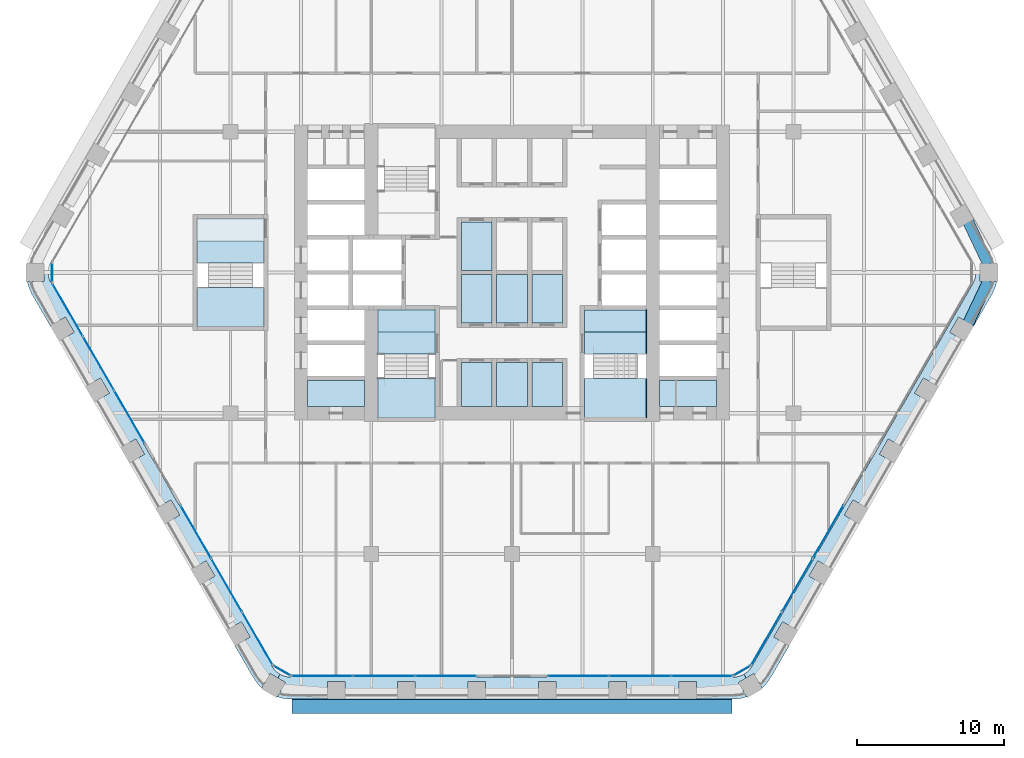
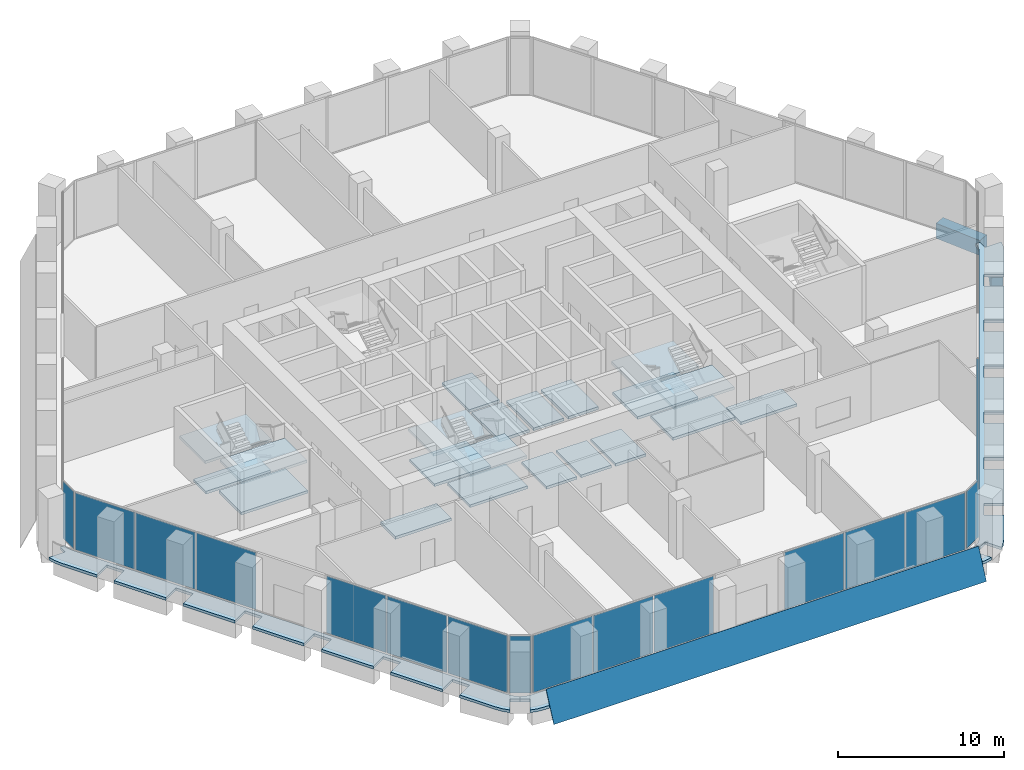
# One storey, part 10 of 22: 26 slabs, 19 plates, 2 beams, 11 elements without a shape of their own.
"""IFC4 building model written with IfcOpenShell, lengths in metres."""

from ifc_helpers import new_model, si_unit, direction, frame, origin, origin_2d, place, context, subcontext, project, spatial, polyline, rectangle, outline, extrude, material, layer, layer_set, material_profile, profile_set, type_object, element, aggregate, save


model = new_model("IFC4")

# Units and contexts
model_context = context("Model", 3, precision=1e-05, world=origin(), true_north=direction((0.0, 1.0)))
body_context = subcontext(model_context, "Body", "Model", "MODEL_VIEW")
ifc_project = project(units=[si_unit("LENGTHUNIT", "METRE"), si_unit("AREAUNIT", "SQUARE_METRE"), si_unit("VOLUMEUNIT", "CUBIC_METRE"), si_unit("PLANEANGLEUNIT", "RADIAN"), si_unit("MASSUNIT", "GRAM", prefix="KILO")], contexts=[model_context])

# Site, building, storey
site_placement = place(None, origin())
site = spatial("IfcSite", under=ifc_project, at=site_placement, CompositionType="ELEMENT")
building_placement = place(site_placement, origin())
building = spatial("IfcBuilding", under=site, at=building_placement, Name="Kolab Exchange Tower", CompositionType="ELEMENT")
storey_placement = place(building_placement, frame((0.0, 0.0, 82.39990234375)))
storey = spatial("IfcBuildingStorey", under=building, at=storey_placement, Name="L15", CompositionType="ELEMENT", Elevation=82.39990234375)

# Beams
ifc_material_1 = material(Name="Concrete C70/85", Category="concrete")
ifc_material_profile = material_profile(ifc_material_1, rectangle(XDim=0.75, YDim=1.10009765625, at=origin_2d()), Name="RC750X1100")
ifc_profile_set = profile_set([ifc_material_profile], Name="Concrete C70/85")
beam_type = type_object("IfcBeamType", Name="SPANDREL BEAM 750X1100 C70/85", PredefinedType="BEAM", material=ifc_profile_set)
for number, where, z_axis, x_axis, name in (
    (1, (31.116455078125, 3.4619140625, -0.75), (0.429041292193, -0.903284877319, 0.0), (0.903284877319, 0.429041292193, 0.0), "beam/L15/sp/F2-07"),
    (2, (32.492919921875, -0.56396484375, -0.75), (-0.429041292193, -0.903284877319, 0.0), (0.903284877319, -0.429041292193, 0.0), "beam/L15/sp/F3-01"),
):
    element("IfcBeam", number, at=place(storey_placement, frame(where, z_axis=z_axis, x_axis=x_axis)), inside=storey, type_object=beam_type, Name=name, PredefinedType="BEAM", context=body_context, shape_type="SweptSolid", body=[
        extrude(rectangle(XDim=0.75, YDim=1.10009765625, at=origin_2d()), origin(), (0.0, 0.0, 1.0), 3.208251953125),
    ])

# Slabs
ifc_material_2 = material(Name="Concrete C35/45", Category="concrete")
ifc_layer_1 = layer(ifc_material_2, 0.199951171875)
ifc_layer_set_1 = layer_set([ifc_layer_1], Name="Concrete C35/45")
slab_type_1 = type_object("IfcSlabType", Name="FLOOR SLAB 200", PredefinedType="FLOOR", material=ifc_layer_set_1)
slab_1_placement = place(storey_placement, frame((0.0, 0.0, -0.199951171875)))
element("IfcSlab", 3, at=slab_1_placement, inside=storey, type_object=slab_type_1, Name="slab/L15/floor/2", PredefinedType="FLOOR", context=body_context, shape_type="SweptSolid", body=[
    extrude(outline(polyline([(-10.050048828125, -9.14990234375), (-10.050048828125, -7.35009765625), (-13.949951171875, -7.35009765625), (-13.949951171875, -9.14990234375), (-10.050048828125, -9.14990234375)])), origin(), (0.0, 0.0, 1.0), 0.199951171875),
])
slab_2_placement = place(storey_placement, frame((0.0, 0.0, -0.199951171875)))
element("IfcSlab", 4, at=slab_2_placement, inside=storey, type_object=slab_type_1, Name="slab/L15/floor/4", PredefinedType="FLOOR", context=body_context, shape_type="SweptSolid", body=[
    extrude(outline(polyline([(10.050048828125, -9.14990234375), (13.949951171875, -9.14990234375), (13.949951171875, -7.35009765625), (10.050048828125, -7.35009765625), (10.050048828125, -9.14990234375)])), origin(), (0.0, 0.0, 1.0), 0.199951171875),
])
slab_3_placement = place(storey_placement, frame((0.0, 0.0, -0.199951171875)))
element("IfcSlab", 5, at=slab_3_placement, inside=storey, type_object=slab_type_1, Name="slab/L15/floor/6", PredefinedType="FLOOR", context=body_context, shape_type="SweptSolid", body=[
    extrude(outline(polyline([(-1.35009765625, -3.449951171875), (-1.35009765625, -0.14990234375), (-3.449951171875, -0.14990234375), (-3.449951171875, -3.449951171875), (-1.35009765625, -3.449951171875)])), origin(), (0.0, 0.0, 1.0), 0.199951171875),
])
slab_4_placement = place(storey_placement, frame((0.0, 0.0, -0.199951171875)))
element("IfcSlab", 6, at=slab_4_placement, inside=storey, type_object=slab_type_1, Name="slab/L15/floor/7", PredefinedType="FLOOR", context=body_context, shape_type="SweptSolid", body=[
    extrude(outline(polyline([(-1.35009765625, 0.14990234375), (-1.35009765625, 3.449951171875), (-3.449951171875, 3.449951171875), (-3.449951171875, 0.14990234375), (-1.35009765625, 0.14990234375)])), origin(), (0.0, 0.0, 1.0), 0.199951171875),
])
slab_5_placement = place(storey_placement, frame((0.0, 0.0, -0.199951171875)))
element("IfcSlab", 7, at=slab_5_placement, inside=storey, type_object=slab_type_1, Name="slab/L15/floor/8", PredefinedType="FLOOR", context=body_context, shape_type="SweptSolid", body=[
    extrude(outline(polyline([(-1.050048828125, -0.14990234375), (-1.050048828125, -3.449951171875), (1.050048828125, -3.449951171875), (1.050048828125, -0.14990234375), (-1.050048828125, -0.14990234375)])), origin(), (0.0, 0.0, 1.0), 0.199951171875),
])
slab_6_placement = place(storey_placement, frame((0.0, 0.0, -0.199951171875)))
element("IfcSlab", 8, at=slab_6_placement, inside=storey, type_object=slab_type_1, Name="slab/L15/floor/10", PredefinedType="FLOOR", context=body_context, shape_type="SweptSolid", body=[
    extrude(outline(polyline([(1.35009765625, -3.449951171875), (3.449951171875, -3.449951171875), (3.449951171875, -0.14990234375), (1.35009765625, -0.14990234375), (1.35009765625, -3.449951171875)])), origin(), (0.0, 0.0, 1.0), 0.199951171875),
])
slab_7_placement = place(storey_placement, frame((0.0, 0.0, -0.199951171875)))
element("IfcSlab", 9, at=slab_7_placement, inside=storey, type_object=slab_type_1, Name="slab/L15/floor/14", PredefinedType="FLOOR", context=body_context, shape_type="SweptSolid", body=[
    extrude(outline(polyline([(-1.35009765625, -6.14990234375), (-3.449951171875, -6.14990234375), (-3.449951171875, -9.14990234375), (-1.35009765625, -9.14990234375), (-1.35009765625, -6.14990234375)])), origin(), (0.0, 0.0, 1.0), 0.199951171875),
])
slab_8_placement = place(storey_placement, frame((0.0, 0.0, -0.199951171875)))
element("IfcSlab", 10, at=slab_8_placement, inside=storey, type_object=slab_type_1, Name="slab/L15/floor/16", PredefinedType="FLOOR", context=body_context, shape_type="SweptSolid", body=[
    extrude(outline(polyline([(1.050048828125, -6.14990234375), (-1.050048828125, -6.14990234375), (-1.050048828125, -9.14990234375), (1.050048828125, -9.14990234375), (1.050048828125, -6.14990234375)])), origin(), (0.0, 0.0, 1.0), 0.199951171875),
])
slab_9_placement = place(storey_placement, frame((0.0, 0.0, -0.199951171875)))
element("IfcSlab", 11, at=slab_9_placement, inside=storey, type_object=slab_type_1, Name="slab/L15/floor/18", PredefinedType="FLOOR", context=body_context, shape_type="SweptSolid", body=[
    extrude(outline(polyline([(1.35009765625, -6.14990234375), (1.35009765625, -9.14990234375), (3.449951171875, -9.14990234375), (3.449951171875, -6.14990234375), (1.35009765625, -6.14990234375)])), origin(), (0.0, 0.0, 1.0), 0.199951171875),
])
slab_10_placement = place(storey_placement, frame((0.0, 0.0, -0.199951171875)))
element("IfcSlab", 12, at=slab_10_placement, inside=storey, type_object=slab_type_1, Name="slab/L15/floor/20", PredefinedType="FLOOR", context=body_context, shape_type="SweptSolid", body=[
    extrude(outline(polyline([(4.949951171875, -4.050048828125), (9.14990234375, -4.050048828125), (9.14990234375, -2.550048828125), (6.14990234375, -2.550048828125), (5.85009765625, -2.550048828125), (4.949951171875, -2.550048828125), (4.949951171875, -4.050048828125)])), origin(), (0.0, 0.0, 1.0), 0.199951171875),
])
slab_11_placement = place(storey_placement, frame((0.0, 0.0, -0.199951171875)))
element("IfcSlab", 13, at=slab_11_placement, inside=storey, type_object=slab_type_1, Name="slab/L15/floor/21", PredefinedType="FLOOR", context=body_context, shape_type="SweptSolid", body=[
    extrude(outline(polyline([(-9.14990234375, -2.550048828125), (-9.14990234375, -4.050048828125), (-5.25, -4.050048828125), (-5.25, -2.550048828125), (-7.25, -2.550048828125), (-7.550048828125, -2.550048828125), (-9.14990234375, -2.550048828125)])), origin(), (0.0, 0.0, 1.0), 0.199951171875),
])
ifc_layer_2 = layer(ifc_material_2, 0.199951171875)
ifc_layer_set_2 = layer_set([ifc_layer_2], Name="Concrete C35/45")
slab_type_2 = type_object("IfcSlabType", Name="LOGGIA SLAB 200", PredefinedType="FLOOR", material=ifc_layer_set_2)
slab_12_placement = place(storey_placement, frame((0.0, 0.0, -0.199951171875)))
element("IfcSlab", 14, at=slab_12_placement, inside=storey, type_object=slab_type_2, Name="slab/L15/loggia/2-0", PredefinedType="FLOOR", context=body_context, shape_type="SweptSolid", body=[
    extrude(outline(polyline([(17.666015625, -27.598388671875), (18.89990234375, -25.461181640625), (17.86083984375, -24.861083984375), (18.460693359375, -23.822021484375), (19.5, -24.421875), (21.300048828125, -21.30419921875), (20.2607421875, -20.704345703125), (20.86083984375, -19.6650390625), (21.89990234375, -20.264892578125), (23.699951171875, -17.147216796875), (22.660888671875, -16.54736328125), (23.2607421875, -15.508056640625), (24.300048828125, -16.108154296875), (26.10009765625, -12.990478515625), (25.060791015625, -12.390380859375), (25.660888671875, -11.35107421875), (26.699951171875, -11.951171875), (28.5, -8.83349609375), (27.460693359375, -8.2333984375), (28.060791015625, -7.1943359375), (29.10009765625, -7.794189453125), (30.89990234375, -4.676513671875), (29.86083984375, -4.076416015625), (30.460693359375, -3.037353515625), (31.5, -3.63720703125), (32.73388671875, -1.5), (32.955078125, -1.026123046875), (33.069091796875, -0.60009765625), (31.935791015625, -0.60009765625), (31.935791015625, 0.0), (31.635986328125, 0.0), (31.613037109375, -0.260498046875), (31.54541015625, -0.512939453125), (31.434814453125, -0.75), (16.366943359375, -26.848388671875), (16.217041015625, -27.062744140625), (16.0322265625, -27.24755859375), (15.81787109375, -27.3974609375), (15.968017578125, -27.6572265625), (16.487548828125, -27.357177734375), (17.05419921875, -28.338623046875), (17.365966796875, -28.02685546875), (17.666015625, -27.598388671875)])), origin(), (0.0, 0.0, 1.0), 0.199951171875),
])
slab_13_placement = place(storey_placement, frame((0.0, 0.0, -0.199951171875)))
element("IfcSlab", 15, at=slab_13_placement, inside=storey, type_object=slab_type_2, Name="slab/L15/loggia/3-0", PredefinedType="FLOOR", context=body_context, shape_type="SweptSolid", body=[
    extrude(outline(polyline([(-15.81787109375, -27.3974609375), (-15.968017578125, -27.6572265625), (-15.4482421875, -27.957275390625), (-16.014892578125, -28.938720703125), (-15.5888671875, -29.052978515625), (-15.06787109375, -29.098388671875), (-12.60009765625, -29.098388671875), (-12.60009765625, -27.8984375), (-11.39990234375, -27.8984375), (-11.39990234375, -29.098388671875), (-7.800048828125, -29.098388671875), (-7.800048828125, -27.8984375), (-6.60009765625, -27.8984375), (-6.60009765625, -29.098388671875), (-3.0, -29.098388671875), (-3.0, -27.8984375), (-1.800048828125, -27.8984375), (-1.800048828125, -29.098388671875), (1.800048828125, -29.098388671875), (1.800048828125, -27.8984375), (3.0, -27.8984375), (3.0, -29.098388671875), (6.60009765625, -29.098388671875), (6.60009765625, -27.8984375), (7.800048828125, -27.8984375), (7.800048828125, -29.098388671875), (11.39990234375, -29.098388671875), (11.39990234375, -27.8984375), (12.60009765625, -27.8984375), (12.60009765625, -29.098388671875), (15.06787109375, -29.098388671875), (15.5888671875, -29.052978515625), (16.014892578125, -28.938720703125), (15.4482421875, -27.957275390625), (15.968017578125, -27.6572265625), (15.81787109375, -27.3974609375), (15.5810546875, -27.508056640625), (15.328369140625, -27.57568359375), (15.06787109375, -27.598388671875), (-15.06787109375, -27.598388671875), (-15.328369140625, -27.57568359375), (-15.5810546875, -27.508056640625), (-15.81787109375, -27.3974609375)])), origin(), (0.0, 0.0, 1.0), 0.199951171875),
])
slab_14_placement = place(storey_placement, frame((0.0, 0.0, -0.199951171875)))
element("IfcSlab", 16, at=slab_14_placement, inside=storey, type_object=slab_type_2, Name="slab/L15/loggia/4-0", PredefinedType="FLOOR", context=body_context, shape_type="SweptSolid", body=[
    extrude(outline(polyline([(-31.635986328125, 0.0), (-31.935791015625, 0.0), (-31.935791015625, -0.60009765625), (-33.069091796875, -0.60009765625), (-32.955078125, -1.026123046875), (-32.73388671875, -1.5), (-31.5, -3.63720703125), (-30.460693359375, -3.037353515625), (-29.86083984375, -4.076416015625), (-30.89990234375, -4.676513671875), (-29.10009765625, -7.794189453125), (-28.060791015625, -7.1943359375), (-27.460693359375, -8.2333984375), (-28.5, -8.83349609375), (-26.699951171875, -11.951171875), (-25.660888671875, -11.35107421875), (-25.060791015625, -12.390380859375), (-26.10009765625, -12.990478515625), (-24.300048828125, -16.108154296875), (-23.2607421875, -15.508056640625), (-22.660888671875, -16.54736328125), (-23.699951171875, -17.147216796875), (-21.89990234375, -20.264892578125), (-20.86083984375, -19.6650390625), (-20.2607421875, -20.704345703125), (-21.300048828125, -21.30419921875), (-19.5, -24.421875), (-18.460693359375, -23.822021484375), (-17.86083984375, -24.861083984375), (-18.89990234375, -25.461181640625), (-17.666015625, -27.598388671875), (-17.365966796875, -28.02685546875), (-17.05419921875, -28.338623046875), (-16.487548828125, -27.357177734375), (-15.968017578125, -27.6572265625), (-15.81787109375, -27.3974609375), (-16.0322265625, -27.24755859375), (-16.217041015625, -27.062744140625), (-16.366943359375, -26.848388671875), (-31.434814453125, -0.75), (-31.54541015625, -0.512939453125), (-31.613037109375, -0.260498046875), (-31.635986328125, 0.0)])), origin(), (0.0, 0.0, 1.0), 0.199951171875),
])

# Plate
ifc_material_3 = material(Name="Laminated glass, clear", Category="glass")
ifc_layer_3 = layer(ifc_material_3, 0.0400390625)
ifc_layer_set_3 = layer_set([ifc_layer_3], Name="Laminated glass, clear")
plate_type_1 = type_object("IfcPlateType", Name="OUTER SKIN LAMINATED GLASS SHEET 40", PredefinedType="SHEET", material=ifc_layer_set_3)
plate_1_placement = place(storey_placement, frame((15.01806640625, -30.078857421875, -0.73291015625), z_axis=(0.0, -0.906331045159, 0.422568380954), x_axis=(-1.0, 0.0, 0.0)))
element("IfcPlate", 17, at=plate_1_placement, inside=storey, type_object=plate_type_1, Name="Outer skin", PredefinedType="SHEET", context=body_context, shape_type="SweptSolid", body=[
    extrude(outline(polyline([(0.0, 0.0), (30.0361328125, 0.0), (30.0361328125, -2.2341751996320496), (0.0, -2.2341751996320496), (0.0, 0.0)])), origin(), (0.0, 0.0, -1.0), 0.0400390625),
])

# Stair, slabs
ifc_material_4 = material(Name="Concrete C50/60", Category="concrete")
stair_type_1 = type_object("IfcStairType", Name="STAIR ST3 RISER 160.7", PredefinedType="DOUBLE_RETURN_STAIR", material=ifc_material_4)
stair_1_placement = place(storey_placement, origin())
stair_1 = element("IfcStair", 18, at=stair_1_placement, inside=storey, type_object=stair_type_1, Name="Stair 3", PredefinedType="DOUBLE_RETURN_STAIR")
ifc_layer_4 = layer(ifc_material_4, 0.199951171875)
ifc_layer_set_4 = layer_set([ifc_layer_4], Name="Concrete C50/60")
slab_type_3 = type_object("IfcSlabType", Name="STAIR LANDING 200", PredefinedType="LANDING", material=ifc_layer_set_4)
slab_15_placement = place(storey_placement, frame((0.0, 0.0, -0.199951171875)))
slab_15 = element("IfcSlab", 19, at=slab_15_placement, type_object=slab_type_3, Name="ST3 landing 1", PredefinedType="LANDING", context=body_context, shape_type="SweptSolid", body=[
    extrude(outline(polyline([(-9.14990234375, -5.550048828125), (-5.25, -5.550048828125), (-5.25, -4.050048828125), (-9.14990234375, -4.050048828125), (-9.14990234375, -5.550048828125)])), origin(), (0.0, 0.0, 1.0), 0.199951171875),
])
slab_16_placement = place(storey_placement, frame((0.0, 0.0, 0.925048828125)))
slab_16 = element("IfcSlab", 20, at=slab_16_placement, type_object=slab_type_3, Name="ST3 landing 2", PredefinedType="LANDING", context=body_context, shape_type="SweptSolid", body=[
    extrude(outline(polyline([(-9.2099609375, -9.909912109375), (-5.18994140625, -9.909912109375), (-5.18994140625, -7.22998046875), (-9.2099609375, -7.22998046875), (-9.2099609375, -9.909912109375)])), origin(), (0.0, 0.0, 1.0), 0.199951171875),
])
slab_17_placement = place(storey_placement, frame((0.0, 0.0, 2.050048828125)))
slab_17 = element("IfcSlab", 21, at=slab_17_placement, type_object=slab_type_3, Name="ST3 landing 3", PredefinedType="LANDING", context=body_context, shape_type="SweptSolid", body=[
    extrude(outline(polyline([(-9.2099609375, -5.550048828125), (-5.18994140625, -5.550048828125), (-5.18994140625, -2.489990234375), (-9.2099609375, -2.489990234375), (-9.2099609375, -5.550048828125)])), origin(), (0.0, 0.0, 1.0), 0.199951171875),
])
slab_18_placement = place(storey_placement, frame((0.0, 0.0, 3.175048828125)))
slab_18 = element("IfcSlab", 22, at=slab_18_placement, type_object=slab_type_3, Name="ST3 landing 4", PredefinedType="LANDING", context=body_context, shape_type="SweptSolid", body=[
    extrude(outline(polyline([(-9.14990234375, -9.909912109375), (-5.25, -9.909912109375), (-5.25, -7.22998046875), (-9.14990234375, -7.22998046875), (-9.14990234375, -9.909912109375)])), origin(), (0.0, 0.0, 1.0), 0.199951171875),
])
aggregate(stair_1, [slab_15, slab_16, slab_17, slab_18])

stair_type_2 = type_object("IfcStairType", Name="STAIR ST2 RISER 160.7", PredefinedType="DOUBLE_RETURN_STAIR", material=ifc_material_4)
stair_2_placement = place(storey_placement, origin())
stair_2 = element("IfcStair", 23, at=stair_2_placement, inside=storey, type_object=stair_type_2, Name="Stair 2", PredefinedType="DOUBLE_RETURN_STAIR")
slab_19_placement = place(storey_placement, frame((0.0, 0.0, -0.199951171875)))
slab_19 = element("IfcSlab", 24, at=slab_19_placement, type_object=slab_type_3, Name="ST2 landing 1", PredefinedType="LANDING", context=body_context, shape_type="SweptSolid", body=[
    extrude(outline(polyline([(4.949951171875, -5.550048828125), (9.14990234375, -5.550048828125), (9.14990234375, -4.050048828125), (4.949951171875, -4.050048828125), (4.949951171875, -5.550048828125)])), origin(), (0.0, 0.0, 1.0), 0.199951171875),
])
slab_20_placement = place(storey_placement, frame((0.0, 0.0, 0.925048828125)))
slab_20 = element("IfcSlab", 25, at=slab_20_placement, type_object=slab_type_3, Name="ST2 landing 2", PredefinedType="LANDING", context=body_context, shape_type="SweptSolid", body=[
    extrude(outline(polyline([(4.889892578125, -9.909912109375), (9.2099609375, -9.909912109375), (9.2099609375, -7.22998046875), (4.889892578125, -7.22998046875), (4.889892578125, -9.909912109375)])), origin(), (0.0, 0.0, 1.0), 0.199951171875),
])
slab_21_placement = place(storey_placement, frame((0.0, 0.0, 2.050048828125)))
slab_21 = element("IfcSlab", 26, at=slab_21_placement, type_object=slab_type_3, Name="ST2 landing 3", PredefinedType="LANDING", context=body_context, shape_type="SweptSolid", body=[
    extrude(outline(polyline([(4.889892578125, -5.550048828125), (9.2099609375, -5.550048828125), (9.2099609375, -2.489990234375), (4.889892578125, -2.489990234375), (4.889892578125, -5.550048828125)])), origin(), (0.0, 0.0, 1.0), 0.199951171875),
])
slab_22_placement = place(storey_placement, frame((0.0, 0.0, 3.175048828125)))
slab_22 = element("IfcSlab", 27, at=slab_22_placement, type_object=slab_type_3, Name="ST2 landing 4", PredefinedType="LANDING", context=body_context, shape_type="SweptSolid", body=[
    extrude(outline(polyline([(4.949951171875, -9.909912109375), (9.14990234375, -9.909912109375), (9.14990234375, -7.22998046875), (4.949951171875, -7.22998046875), (4.949951171875, -9.909912109375)])), origin(), (0.0, 0.0, 1.0), 0.199951171875),
])
aggregate(stair_2, [slab_19, slab_20, slab_21, slab_22])

stair_type_3 = type_object("IfcStairType", Name="STAIR ST5 RISER 160.7", PredefinedType="DOUBLE_RETURN_STAIR", material=ifc_material_4)
stair_3_placement = place(storey_placement, origin())
stair_3 = element("IfcStair", 28, at=stair_3_placement, inside=storey, type_object=stair_type_3, Name="Stair 5", PredefinedType="DOUBLE_RETURN_STAIR")
slab_23_placement = place(storey_placement, frame((0.0, 0.0, -0.199951171875)))
slab_23 = element("IfcSlab", 29, at=slab_23_placement, type_object=slab_type_3, Name="ST5 landing 1", PredefinedType="LANDING", context=body_context, shape_type="SweptSolid", body=[
    extrude(outline(polyline([(-21.449951171875, 0.64990234375), (-16.949951171875, 0.64990234375), (-16.949951171875, 2.14990234375), (-21.449951171875, 2.14990234375), (-21.449951171875, 0.64990234375)])), origin(), (0.0, 0.0, 1.0), 0.199951171875),
])
slab_24_placement = place(storey_placement, frame((0.0, 0.0, 0.925048828125)))
slab_24 = element("IfcSlab", 30, at=slab_24_placement, type_object=slab_type_3, Name="ST5 landing 2", PredefinedType="LANDING", context=body_context, shape_type="SweptSolid", body=[
    extrude(outline(polyline([(-21.510009765625, -3.7099609375), (-16.889892578125, -3.7099609375), (-16.889892578125, -1.030029296875), (-21.510009765625, -1.030029296875), (-21.510009765625, -3.7099609375)])), origin(), (0.0, 0.0, 1.0), 0.199951171875),
])
slab_25_placement = place(storey_placement, frame((0.0, 0.0, 2.050048828125)))
slab_25 = element("IfcSlab", 31, at=slab_25_placement, type_object=slab_type_3, Name="ST5 landing 3", PredefinedType="LANDING", context=body_context, shape_type="SweptSolid", body=[
    extrude(outline(polyline([(-21.510009765625, 0.64990234375), (-16.889892578125, 0.64990234375), (-16.889892578125, 3.7099609375), (-21.510009765625, 3.7099609375), (-21.510009765625, 0.64990234375)])), origin(), (0.0, 0.0, 1.0), 0.199951171875),
])
slab_26_placement = place(storey_placement, frame((0.0, 0.0, 3.175048828125)))
slab_26 = element("IfcSlab", 32, at=slab_26_placement, type_object=slab_type_3, Name="ST5 landing 4", PredefinedType="LANDING", context=body_context, shape_type="SweptSolid", body=[
    extrude(outline(polyline([(-21.449951171875, -3.7099609375), (-16.949951171875, -3.7099609375), (-16.949951171875, -1.030029296875), (-21.449951171875, -1.030029296875), (-21.449951171875, -3.7099609375)])), origin(), (0.0, 0.0, 1.0), 0.199951171875),
])
aggregate(stair_3, [slab_23, slab_24, slab_25, slab_26])

# Curtain wall, plates
ifc_material_5 = material(Name="Aluminium EN AW-6063 T6", Category="aluminium")
curtain_wall_type = type_object("IfcCurtainWallType", Name="UNITISED LOWER MID ZONE CURTAIN WALL", PredefinedType="NOTDEFINED", material=ifc_material_5)
curtain_wall_1_placement = place(storey_placement, origin())
curtain_wall_1 = element("IfcCurtainWall", 33, at=curtain_wall_1_placement, inside=storey, type_object=curtain_wall_type, Name="cw/L15/F3-2", PredefinedType="NOTDEFINED")
ifc_material_6 = material(Name="Clear insulated glazing unit", Category="glass")
ifc_layer_5 = layer(ifc_material_6, 0.02587890625)
ifc_layer_set_5 = layer_set([ifc_layer_5], Name="Clear insulated glazing unit")
plate_type_2 = type_object("IfcPlateType", Name="UNITISED LOWER MID ZONE GLASS PANEL 26", PredefinedType="CURTAIN_PANEL", material=ifc_layer_set_5)
plate_2_placement = place(storey_placement, frame((21.568603515625, -17.67919921875, 0.06005859375), z_axis=(0.0, 0.0, 1.0), x_axis=(-0.500000017564, -0.866025393644, 0.0)))
plate_2 = element("IfcPlate", 34, at=plate_2_placement, type_object=plate_type_2, Name="CW2 panel 1.1", PredefinedType="CURTAIN_PANEL", context=body_context, shape_type="SweptSolid", body=[
    extrude(rectangle(XDim=4.132568359375, YDim=0.02587890625, at=origin_2d()), origin(), (0.0, 0.0, 1.0), 4.179931640625),
])
plate_3_placement = place(storey_placement, frame((19.464599609375, -21.322998046875, 0.06005859375), z_axis=(0.0, 0.0, 1.0), x_axis=(-0.500000017564, -0.866025393644, 0.0)))
plate_3 = element("IfcPlate", 35, at=plate_3_placement, type_object=plate_type_2, Name="CW2 panel 2.1", PredefinedType="CURTAIN_PANEL", context=body_context, shape_type="SweptSolid", body=[
    extrude(rectangle(XDim=4.16259765625, YDim=0.02587890625, at=origin_2d()), origin(), (0.0, 0.0, 1.0), 4.179931640625),
])
plate_4_placement = place(storey_placement, frame((17.36083984375, -24.967041015625, 0.06005859375), z_axis=(0.0, 0.0, 1.0), x_axis=(-0.500000017564, -0.866025393644, 0.0)))
plate_4 = element("IfcPlate", 36, at=plate_4_placement, type_object=plate_type_2, Name="CW2 panel 3.1", PredefinedType="CURTAIN_PANEL", context=body_context, shape_type="SweptSolid", body=[
    extrude(rectangle(XDim=4.132568359375, YDim=0.02587890625, at=origin_2d()), origin(), (0.0, 0.0, 1.0), 4.179931640625),
])
aggregate(curtain_wall_1, [plate_2, plate_3, plate_4])

curtain_wall_2_placement = place(storey_placement, origin())
curtain_wall_2 = element("IfcCurtainWall", 37, at=curtain_wall_2_placement, inside=storey, type_object=curtain_wall_type, Name="cw/L15/F4-1", PredefinedType="NOTDEFINED")
plate_5_placement = place(storey_placement, frame((12.941650390625, -27.5185546875, 0.06005859375), z_axis=(0.0, 0.0, 1.0), x_axis=(-1.0, 0.0, 0.0)))
plate_5 = element("IfcPlate", 38, at=plate_5_placement, type_object=plate_type_2, Name="CW2 panel 1.1", PredefinedType="CURTAIN_PANEL", context=body_context, shape_type="SweptSolid", body=[
    extrude(rectangle(XDim=4.132568359375, YDim=0.02587890625, at=origin_2d()), origin(), (0.0, 0.0, 1.0), 4.179931640625),
])
plate_6_placement = place(storey_placement, frame((8.73388671875, -27.5185546875, 0.06005859375), z_axis=(0.0, 0.0, 1.0), x_axis=(-1.0, 0.0, 0.0)))
plate_6 = element("IfcPlate", 39, at=plate_6_placement, type_object=plate_type_2, Name="CW2 panel 2.1", PredefinedType="CURTAIN_PANEL", context=body_context, shape_type="SweptSolid", body=[
    extrude(rectangle(XDim=4.16259765625, YDim=0.02587890625, at=origin_2d()), origin(), (0.0, 0.0, 1.0), 4.179931640625),
])
plate_7_placement = place(storey_placement, frame((4.5263671875, -27.5185546875, 0.06005859375), z_axis=(0.0, 0.0, 1.0), x_axis=(-1.0, 0.0, 0.0)))
plate_7 = element("IfcPlate", 40, at=plate_7_placement, type_object=plate_type_2, Name="CW2 panel 3.1", PredefinedType="CURTAIN_PANEL", context=body_context, shape_type="SweptSolid", body=[
    extrude(rectangle(XDim=4.132568359375, YDim=0.02587890625, at=origin_2d()), origin(), (0.0, 0.0, 1.0), 4.179931640625),
])
aggregate(curtain_wall_2, [plate_5, plate_6, plate_7])

curtain_wall_3_placement = place(storey_placement, origin())
curtain_wall_3 = element("IfcCurtainWall", 41, at=curtain_wall_3_placement, inside=storey, type_object=curtain_wall_type, Name="cw/L15/F4-2", PredefinedType="NOTDEFINED")
plate_8_placement = place(storey_placement, frame((-4.5263671875, -27.5185546875, 0.06005859375), z_axis=(0.0, 0.0, 1.0), x_axis=(-1.0, 0.0, 0.0)))
plate_8 = element("IfcPlate", 42, at=plate_8_placement, type_object=plate_type_2, Name="CW2 panel 1.1", PredefinedType="CURTAIN_PANEL", context=body_context, shape_type="SweptSolid", body=[
    extrude(rectangle(XDim=4.132568359375, YDim=0.02587890625, at=origin_2d()), origin(), (0.0, 0.0, 1.0), 4.179931640625),
])
plate_9_placement = place(storey_placement, frame((-8.73388671875, -27.5185546875, 0.06005859375), z_axis=(0.0, 0.0, 1.0), x_axis=(-1.0, 0.0, 0.0)))
plate_9 = element("IfcPlate", 43, at=plate_9_placement, type_object=plate_type_2, Name="CW2 panel 2.1", PredefinedType="CURTAIN_PANEL", context=body_context, shape_type="SweptSolid", body=[
    extrude(rectangle(XDim=4.16259765625, YDim=0.02587890625, at=origin_2d()), origin(), (0.0, 0.0, 1.0), 4.179931640625),
])
plate_10_placement = place(storey_placement, frame((-12.941650390625, -27.5185546875, 0.06005859375), z_axis=(0.0, 0.0, 1.0), x_axis=(-1.0, 0.0, 0.0)))
plate_10 = element("IfcPlate", 44, at=plate_10_placement, type_object=plate_type_2, Name="CW2 panel 3.1", PredefinedType="CURTAIN_PANEL", context=body_context, shape_type="SweptSolid", body=[
    extrude(rectangle(XDim=4.132568359375, YDim=0.02587890625, at=origin_2d()), origin(), (0.0, 0.0, 1.0), 4.179931640625),
])
aggregate(curtain_wall_3, [plate_8, plate_9, plate_10])

curtain_wall_4_placement = place(storey_placement, origin())
curtain_wall_4 = element("IfcCurtainWall", 45, at=curtain_wall_4_placement, inside=storey, type_object=curtain_wall_type, Name="cw/L15/F5-1", PredefinedType="NOTDEFINED")
plate_11_placement = place(storey_placement, frame((-17.36083984375, -24.967041015625, 0.06005859375), z_axis=(0.0, 0.0, 1.0), x_axis=(-0.500000017564, 0.866025393644, 0.0)))
plate_11 = element("IfcPlate", 46, at=plate_11_placement, type_object=plate_type_2, Name="CW2 panel 1.1", PredefinedType="CURTAIN_PANEL", context=body_context, shape_type="SweptSolid", body=[
    extrude(rectangle(XDim=4.132568359375, YDim=0.02587890625, at=origin_2d()), origin(), (0.0, 0.0, 1.0), 4.179931640625),
])
plate_12_placement = place(storey_placement, frame((-19.464599609375, -21.322998046875, 0.06005859375), z_axis=(0.0, 0.0, 1.0), x_axis=(-0.500000017564, 0.866025393644, 0.0)))
plate_12 = element("IfcPlate", 47, at=plate_12_placement, type_object=plate_type_2, Name="CW2 panel 2.1", PredefinedType="CURTAIN_PANEL", context=body_context, shape_type="SweptSolid", body=[
    extrude(rectangle(XDim=4.16259765625, YDim=0.02587890625, at=origin_2d()), origin(), (0.0, 0.0, 1.0), 4.179931640625),
])
plate_13_placement = place(storey_placement, frame((-21.568603515625, -17.67919921875, 0.06005859375), z_axis=(0.0, 0.0, 1.0), x_axis=(-0.500000017564, 0.866025393644, 0.0)))
plate_13 = element("IfcPlate", 48, at=plate_13_placement, type_object=plate_type_2, Name="CW2 panel 3.1", PredefinedType="CURTAIN_PANEL", context=body_context, shape_type="SweptSolid", body=[
    extrude(rectangle(XDim=4.132568359375, YDim=0.02587890625, at=origin_2d()), origin(), (0.0, 0.0, 1.0), 4.179931640625),
])
aggregate(curtain_wall_4, [plate_11, plate_12, plate_13])

curtain_wall_5_placement = place(storey_placement, origin())
curtain_wall_5 = element("IfcCurtainWall", 49, at=curtain_wall_5_placement, inside=storey, type_object=curtain_wall_type, Name="cw/L15/F5-2", PredefinedType="NOTDEFINED")
plate_14_placement = place(storey_placement, frame((-26.0947265625, -9.83935546875, 0.06005859375), z_axis=(0.0, 0.0, 1.0), x_axis=(-0.499999958358, 0.866025427826, 0.0)))
plate_14 = element("IfcPlate", 50, at=plate_14_placement, type_object=plate_type_2, Name="CW2 panel 1.1", PredefinedType="CURTAIN_PANEL", context=body_context, shape_type="SweptSolid", body=[
    extrude(rectangle(XDim=4.132568359375, YDim=0.02587890625, at=origin_2d()), origin(), (0.0, 0.0, 1.0), 4.179931640625),
])
plate_15_placement = place(storey_placement, frame((-28.19873046875, -6.1953125, 0.06005859375), z_axis=(0.0, 0.0, 1.0), x_axis=(-0.499999958358, 0.866025427826, 0.0)))
plate_15 = element("IfcPlate", 51, at=plate_15_placement, type_object=plate_type_2, Name="CW2 panel 2.1", PredefinedType="CURTAIN_PANEL", context=body_context, shape_type="SweptSolid", body=[
    extrude(rectangle(XDim=4.16259765625, YDim=0.02587890625, at=origin_2d()), origin(), (0.0, 0.0, 1.0), 4.179931640625),
])
plate_16_placement = place(storey_placement, frame((-30.302490234375, -2.551513671875, 0.06005859375), z_axis=(0.0, 0.0, 1.0), x_axis=(-0.499999958358, 0.866025427826, 0.0)))
plate_16 = element("IfcPlate", 52, at=plate_16_placement, type_object=plate_type_2, Name="CW2 panel 3.1", PredefinedType="CURTAIN_PANEL", context=body_context, shape_type="SweptSolid", body=[
    extrude(rectangle(XDim=4.132568359375, YDim=0.02587890625, at=origin_2d()), origin(), (0.0, 0.0, 1.0), 4.179931640625),
])
aggregate(curtain_wall_5, [plate_14, plate_15, plate_16])

# Curtain wall, plate
curtain_wall_6_placement = place(storey_placement, origin())
curtain_wall_6 = element("IfcCurtainWall", 53, at=curtain_wall_6_placement, inside=storey, type_object=curtain_wall_type, Name="cw/L15/F3F4-corner", PredefinedType="NOTDEFINED")
plate_17_placement = place(storey_placement, frame((15.682861328125, -27.16357421875, 0.06005859375), z_axis=(0.0, 0.0, 1.0), x_axis=(-0.866025390869, -0.50000002237, 0.0)))
plate_17 = element("IfcPlate", 54, at=plate_17_placement, type_object=plate_type_2, Name="CW2 panel 1.1", PredefinedType="CURTAIN_PANEL", context=body_context, shape_type="SweptSolid", body=[
    extrude(rectangle(XDim=1.300048828125, YDim=0.02587890625, at=origin_2d()), origin(), (0.0, 0.0, 1.0), 4.179931640625),
])
aggregate(curtain_wall_6, [plate_17])

curtain_wall_7_placement = place(storey_placement, origin())
curtain_wall_7 = element("IfcCurtainWall", 55, at=curtain_wall_7_placement, inside=storey, type_object=curtain_wall_type, Name="cw/L15/F4F5-corner", PredefinedType="NOTDEFINED")
plate_18_placement = place(storey_placement, frame((-15.682861328125, -27.16357421875, 0.06005859375), z_axis=(0.0, 0.0, 1.0), x_axis=(-0.866025390869, 0.50000002237, 0.0)))
plate_18 = element("IfcPlate", 56, at=plate_18_placement, type_object=plate_type_2, Name="CW2 panel 1.1", PredefinedType="CURTAIN_PANEL", context=body_context, shape_type="SweptSolid", body=[
    extrude(rectangle(XDim=1.300048828125, YDim=0.02587890625, at=origin_2d()), origin(), (0.0, 0.0, 1.0), 4.179931640625),
])
aggregate(curtain_wall_7, [plate_18])

curtain_wall_8_placement = place(storey_placement, origin())
curtain_wall_8 = element("IfcCurtainWall", 57, at=curtain_wall_8_placement, inside=storey, type_object=curtain_wall_type, Name="cw/L15/F5F6-corner", PredefinedType="NOTDEFINED")
plate_19_placement = place(storey_placement, frame((-31.36572265625, 0.0, 0.06005859375), z_axis=(0.0, 0.0, 1.0), x_axis=(0.0, 1.0, 0.0)))
plate_19 = element("IfcPlate", 58, at=plate_19_placement, type_object=plate_type_2, Name="CW2 panel 1.1", PredefinedType="CURTAIN_PANEL", context=body_context, shape_type="SweptSolid", body=[
    extrude(rectangle(XDim=1.300048828125, YDim=0.02587890625, at=origin_2d()), origin(), (0.0, 0.0, 1.0), 4.179931640625),
])
aggregate(curtain_wall_8, [plate_19])

save(model, "model.ifc")
